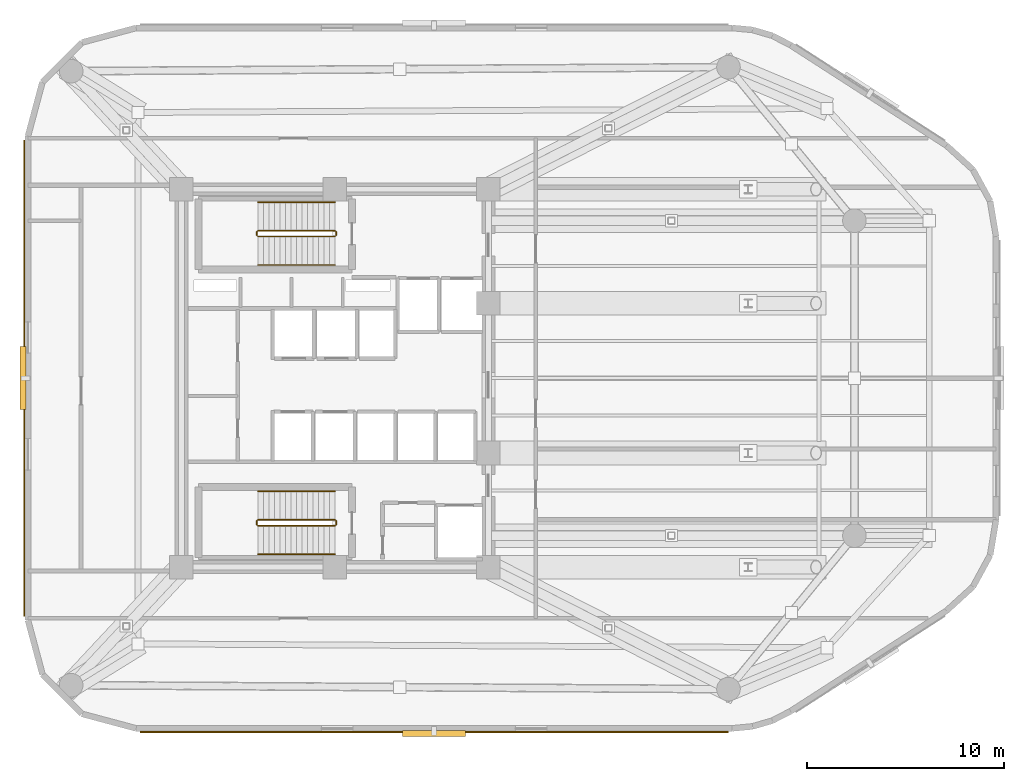
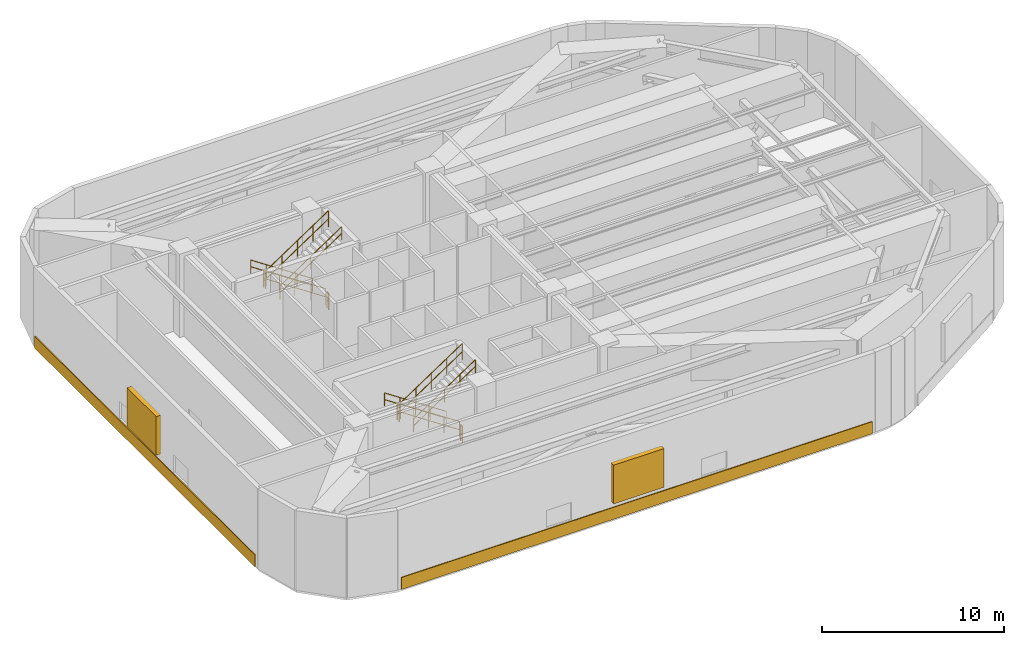
# One storey, part 8 of 9: 12 railings, 2 coverings, 2 shading devices.
"""IFC4 building model written with IfcOpenShell, lengths in metres."""

from ifc_helpers import new_model, si_unit, direction, frame, origin, origin_2d, place, context, subcontext, project, spatial, rectangle, circle, extrude, material, layer, layer_set, type_object, element, save


model = new_model("IFC4")

# Units and contexts
model_context = context("Model", 3, precision=1e-05, world=origin(), true_north=direction((0.0, 1.0)))
body_context = subcontext(model_context, "Body", "Model", "MODEL_VIEW")
ifc_project = project(units=[si_unit("LENGTHUNIT", "METRE"), si_unit("AREAUNIT", "SQUARE_METRE"), si_unit("VOLUMEUNIT", "CUBIC_METRE"), si_unit("PLANEANGLEUNIT", "RADIAN"), si_unit("MASSUNIT", "GRAM", prefix="KILO")], contexts=[model_context])

# Site, building, storey
site_placement = place(None, origin())
site = spatial("IfcSite", under=ifc_project, at=site_placement, CompositionType="ELEMENT")
building_placement = place(site_placement, origin())
building = spatial("IfcBuilding", under=site, at=building_placement, Name="An Khanh Terracotta Commons", CompositionType="ELEMENT")
storey_placement = place(building_placement, frame((0.0, 0.0, 190.60009765625)))
storey = spatial("IfcBuildingStorey", under=building, at=storey_placement, Name="L50", CompositionType="ELEMENT", Elevation=190.60009765625)

# Shading devices
ifc_material_1 = material(Name="Anodised Aluminium 6063-T6", Category="aluminium")
shading_device_type = type_object("IfcShadingDeviceType", Name="Acoustic Plant Weather Louvre", PredefinedType="USERDEFINED", material=ifc_material_1)
for number, where, z_axis, x_axis, name in (
    (1, (34.44091796875, 5.949951171875, 1.199951171875), (0.0, 0.0, 1.0), (1.0, 0.0, 0.0), "L50 Refuge Acoustic Louvre 4"),
    (2, (13.550048828125, 24.0, 1.199951171875), (0.0, 0.0, 1.0), (0.0, -1.0, 0.0), "L50 Refuge Acoustic Louvre 24"),
):
    element("IfcShadingDevice", number, at=place(storey_placement, frame(where, z_axis=z_axis, x_axis=x_axis)), inside=storey, type_object=shading_device_type, Name=name, ObjectType="LOUVRE", PredefinedType="USERDEFINED", context=body_context, shape_type="SweptSolid", body=[
        extrude(rectangle(XDim=3.199951171875, YDim=0.300048828125, at=origin_2d()), origin(), (0.0, 0.0, 1.0), 2.60009765625),
    ])

# Coverings
ifc_material_2 = material(Name="Fired Terracotta Rainscreen Cladding", Category="masonry")
ifc_layer = layer(ifc_material_2, 0.06005859375, Name="Fired Terracotta Rainscreen Cladding")
ifc_layer_set = layer_set([ifc_layer], Name="Fired Terracotta Rainscreen Cladding")
covering_type = type_object("IfcCoveringType", Name="COV-SPANDREL-TERRA", PredefinedType="CLADDING", material=ifc_layer_set)
covering_1_placement = place(storey_placement, frame((34.44091796875, 6.02001953125, 0.02001953125), z_axis=(0.0, 0.0, 1.0), x_axis=(1.0, 0.0, 0.0)))
element("IfcCovering", 3, at=covering_1_placement, inside=storey, type_object=covering_type, Name="L50 Terracotta Spandrel Cladding 4", PredefinedType="CLADDING", context=body_context, shape_type="SweptSolid", body=[
    extrude(rectangle(XDim=29.882080078125, YDim=0.06005859375, at=origin_2d()), origin(), (0.0, 0.0, 1.0), 0.800048828125),
])
covering_2_placement = place(storey_placement, frame((13.6201171875, 24.0, 0.02001953125), z_axis=(0.0, 0.0, 1.0), x_axis=(0.0, -1.0, 0.0)))
element("IfcCovering", 4, at=covering_2_placement, inside=storey, type_object=covering_type, Name="L50 Terracotta Spandrel Cladding 24", PredefinedType="CLADDING", context=body_context, shape_type="SweptSolid", body=[
    extrude(rectangle(XDim=24.199951171875, YDim=0.06005859375, at=origin_2d()), origin(), (0.0, 0.0, 1.0), 0.800048828125),
])

# Railings
ifc_material_3 = material(Name="Brushed Stainless Steel 316", Category="steel")
railing_type_1 = type_object("IfcRailingType", Name="RAIL-HANDRAIL-900", PredefinedType="HANDRAIL", material=ifc_material_3)
railing_1_placement = place(storey_placement, frame((29.409912109375, 32.949951171875, 0.1865234375)))
element("IfcRailing", 5, at=railing_1_placement, inside=storey, type_object=railing_type_1, Name="L50 ST-01 stair handrail 1", PredefinedType="HANDRAIL", context=body_context, shape_type="SweptSolid", body=[
    extrude(circle(Radius=0.02392578125, at=origin_2d()), frame((0.0, 0.0, 0.8759765625), z_axis=(-0.832050294338, 0.0, 0.554700196225), x_axis=(0.0, -1.0, 0.0)), (0.0, 0.0, 1.0), 4.711181640625),
    extrude(circle(Radius=0.02392578125, at=origin_2d()), frame((0.0, 0.0, 0.42578125), z_axis=(-0.832050294338, 0.0, 0.554700196225), x_axis=(0.0, -1.0, 0.0)), (0.0, 0.0, 1.0), 4.711181640625),
    extrude(circle(Radius=0.02099609375, at=origin_2d()), origin(), (0.0, 0.0, 1.0), 0.851806640625),
    extrude(circle(Radius=0.02099609375, at=origin_2d()), frame((-0.97998046875, 0.0, 0.6533203125)), (0.0, 0.0, 1.0), 0.851806640625),
    extrude(circle(Radius=0.02099609375, at=origin_2d()), frame((-1.9599609375, 0.0, 1.306640625)), (0.0, 0.0, 1.0), 0.851806640625),
    extrude(circle(Radius=0.02099609375, at=origin_2d()), frame((-2.93994140625, 0.0, 1.9599609375)), (0.0, 0.0, 1.0), 0.851806640625),
    extrude(circle(Radius=0.02099609375, at=origin_2d()), frame((-3.919921875, 0.0, 2.61328125)), (0.0, 0.0, 1.0), 0.851806640625),
])
railing_2_placement = place(storey_placement, frame((25.489990234375, 29.75, 2.986572265625)))
element("IfcRailing", 6, at=railing_2_placement, inside=storey, type_object=railing_type_1, Name="L50 ST-01 stair handrail 2", PredefinedType="HANDRAIL", context=body_context, shape_type="SweptSolid", body=[
    extrude(circle(Radius=0.02392578125, at=origin_2d()), frame((0.0, 0.0, 0.8759765625), z_axis=(0.832050294338, 0.0, 0.554700196225), x_axis=(0.0, 1.0, 0.0)), (0.0, 0.0, 1.0), 4.711181640625),
    extrude(circle(Radius=0.02392578125, at=origin_2d()), frame((0.0, 0.0, 0.42578125), z_axis=(0.832050294338, 0.0, 0.554700196225), x_axis=(0.0, 1.0, 0.0)), (0.0, 0.0, 1.0), 4.711181640625),
    extrude(circle(Radius=0.02099609375, at=origin_2d()), origin(), (0.0, 0.0, 1.0), 0.851806640625),
    extrude(circle(Radius=0.02099609375, at=origin_2d()), frame((0.97998046875, 0.0, 0.6533203125)), (0.0, 0.0, 1.0), 0.851806640625),
    extrude(circle(Radius=0.02099609375, at=origin_2d()), frame((1.9599609375, 0.0, 1.306640625)), (0.0, 0.0, 1.0), 0.851806640625),
    extrude(circle(Radius=0.02099609375, at=origin_2d()), frame((2.93994140625, 0.0, 1.9599609375)), (0.0, 0.0, 1.0), 0.851806640625),
    extrude(circle(Radius=0.02099609375, at=origin_2d()), frame((3.919921875, 0.0, 2.61328125)), (0.0, 0.0, 1.0), 0.851806640625),
])
railing_3_placement = place(storey_placement, frame((29.409912109375, 18.25, 0.1865234375)))
element("IfcRailing", 7, at=railing_3_placement, inside=storey, type_object=railing_type_1, Name="L50 ST-02 stair handrail 1", PredefinedType="HANDRAIL", context=body_context, shape_type="SweptSolid", body=[
    extrude(circle(Radius=0.02392578125, at=origin_2d()), frame((0.0, 0.0, 0.8759765625), z_axis=(-0.832050294338, 0.0, 0.554700196225), x_axis=(0.0, -1.0, 0.0)), (0.0, 0.0, 1.0), 4.711181640625),
    extrude(circle(Radius=0.02392578125, at=origin_2d()), frame((0.0, 0.0, 0.42578125), z_axis=(-0.832050294338, 0.0, 0.554700196225), x_axis=(0.0, -1.0, 0.0)), (0.0, 0.0, 1.0), 4.711181640625),
    extrude(circle(Radius=0.02099609375, at=origin_2d()), origin(), (0.0, 0.0, 1.0), 0.851806640625),
    extrude(circle(Radius=0.02099609375, at=origin_2d()), frame((-0.97998046875, 0.0, 0.6533203125)), (0.0, 0.0, 1.0), 0.851806640625),
    extrude(circle(Radius=0.02099609375, at=origin_2d()), frame((-1.9599609375, 0.0, 1.306640625)), (0.0, 0.0, 1.0), 0.851806640625),
    extrude(circle(Radius=0.02099609375, at=origin_2d()), frame((-2.93994140625, 0.0, 1.9599609375)), (0.0, 0.0, 1.0), 0.851806640625),
    extrude(circle(Radius=0.02099609375, at=origin_2d()), frame((-3.919921875, 0.0, 2.61328125)), (0.0, 0.0, 1.0), 0.851806640625),
])
railing_4_placement = place(storey_placement, frame((25.489990234375, 15.050048828125, 2.986572265625)))
element("IfcRailing", 8, at=railing_4_placement, inside=storey, type_object=railing_type_1, Name="L50 ST-02 stair handrail 2", PredefinedType="HANDRAIL", context=body_context, shape_type="SweptSolid", body=[
    extrude(circle(Radius=0.02392578125, at=origin_2d()), frame((0.0, 0.0, 0.8759765625), z_axis=(0.832050294338, 0.0, 0.554700196225), x_axis=(0.0, 1.0, 0.0)), (0.0, 0.0, 1.0), 4.711181640625),
    extrude(circle(Radius=0.02392578125, at=origin_2d()), frame((0.0, 0.0, 0.42578125), z_axis=(0.832050294338, 0.0, 0.554700196225), x_axis=(0.0, 1.0, 0.0)), (0.0, 0.0, 1.0), 4.711181640625),
    extrude(circle(Radius=0.02099609375, at=origin_2d()), origin(), (0.0, 0.0, 1.0), 0.851806640625),
    extrude(circle(Radius=0.02099609375, at=origin_2d()), frame((0.97998046875, 0.0, 0.6533203125)), (0.0, 0.0, 1.0), 0.851806640625),
    extrude(circle(Radius=0.02099609375, at=origin_2d()), frame((1.9599609375, 0.0, 1.306640625)), (0.0, 0.0, 1.0), 0.851806640625),
    extrude(circle(Radius=0.02099609375, at=origin_2d()), frame((2.93994140625, 0.0, 1.9599609375)), (0.0, 0.0, 1.0), 0.851806640625),
    extrude(circle(Radius=0.02099609375, at=origin_2d()), frame((3.919921875, 0.0, 2.61328125)), (0.0, 0.0, 1.0), 0.851806640625),
])
ifc_material_4 = material(Name="Powder-Coated Steel S355J2", Category="steel")
railing_type_2 = type_object("IfcRailingType", Name="RAIL-STAIR-GUARD-1100", PredefinedType="BALUSTRADE", material=ifc_material_4)
railing_5_placement = place(storey_placement, frame((29.409912109375, 31.5, 0.1865234375)))
element("IfcRailing", 9, at=railing_5_placement, inside=storey, type_object=railing_type_2, Name="L50 ST-01 stair guard 1", PredefinedType="BALUSTRADE", context=body_context, shape_type="SweptSolid", body=[
    extrude(circle(Radius=0.02392578125, at=origin_2d()), frame((0.0, 0.0, 1.076171875), z_axis=(-0.832050294338, 0.0, 0.554700196225), x_axis=(0.0, -1.0, 0.0)), (0.0, 0.0, 1.0), 4.711181640625),
    extrude(circle(Radius=0.02392578125, at=origin_2d()), frame((0.0, 0.0, 0.52587890625), z_axis=(-0.832050294338, 0.0, 0.554700196225), x_axis=(0.0, -1.0, 0.0)), (0.0, 0.0, 1.0), 4.711181640625),
    extrude(circle(Radius=0.02099609375, at=origin_2d()), origin(), (0.0, 0.0, 1.0), 1.052001953125),
    extrude(circle(Radius=0.02099609375, at=origin_2d()), frame((-0.97998046875, 0.0, 0.6533203125)), (0.0, 0.0, 1.0), 1.052001953125),
    extrude(circle(Radius=0.02099609375, at=origin_2d()), frame((-1.9599609375, 0.0, 1.306640625)), (0.0, 0.0, 1.0), 1.052001953125),
    extrude(circle(Radius=0.02099609375, at=origin_2d()), frame((-2.93994140625, 0.0, 1.9599609375)), (0.0, 0.0, 1.0), 1.052001953125),
    extrude(circle(Radius=0.02099609375, at=origin_2d()), frame((-3.919921875, 0.0, 2.61328125)), (0.0, 0.0, 1.0), 1.052001953125),
])
railing_6_placement = place(storey_placement, frame((25.43994140625, 31.449951171875, 2.7998046875)))
element("IfcRailing", 10, at=railing_6_placement, inside=storey, type_object=railing_type_2, Name="L50 ST-01 stair guard 2", PredefinedType="BALUSTRADE", context=body_context, shape_type="SweptSolid", body=[
    extrude(circle(Radius=0.02392578125, at=origin_2d()), frame((0.0, 0.0, 1.076171875), z_axis=(0.0, -1.0, 0.0), x_axis=(1.0, 0.0, 0.0)), (0.0, 0.0, 1.0), 0.199951171875),
    extrude(circle(Radius=0.02392578125, at=origin_2d()), frame((0.0, 0.0, 0.52587890625), z_axis=(0.0, -1.0, 0.0), x_axis=(1.0, 0.0, 0.0)), (0.0, 0.0, 1.0), 0.199951171875),
    extrude(circle(Radius=0.02099609375, at=origin_2d()), origin(), (0.0, 0.0, 1.0), 1.052001953125),
    extrude(circle(Radius=0.02099609375, at=origin_2d()), frame((0.0, -0.199951171875, 0.0)), (0.0, 0.0, 1.0), 1.052001953125),
])
railing_7_placement = place(storey_placement, frame((25.489990234375, 31.199951171875, 2.986572265625)))
element("IfcRailing", 11, at=railing_7_placement, inside=storey, type_object=railing_type_2, Name="L50 ST-01 stair guard 3", PredefinedType="BALUSTRADE", context=body_context, shape_type="SweptSolid", body=[
    extrude(circle(Radius=0.02392578125, at=origin_2d()), frame((0.0, 0.0, 1.076171875), z_axis=(0.832050294338, 0.0, 0.554700196225), x_axis=(0.0, 1.0, 0.0)), (0.0, 0.0, 1.0), 4.711181640625),
    extrude(circle(Radius=0.02392578125, at=origin_2d()), frame((0.0, 0.0, 0.52587890625), z_axis=(0.832050294338, 0.0, 0.554700196225), x_axis=(0.0, 1.0, 0.0)), (0.0, 0.0, 1.0), 4.711181640625),
    extrude(circle(Radius=0.02099609375, at=origin_2d()), origin(), (0.0, 0.0, 1.0), 1.052001953125),
    extrude(circle(Radius=0.02099609375, at=origin_2d()), frame((0.97998046875, 0.0, 0.6533203125)), (0.0, 0.0, 1.0), 1.052001953125),
    extrude(circle(Radius=0.02099609375, at=origin_2d()), frame((1.9599609375, 0.0, 1.306640625)), (0.0, 0.0, 1.0), 1.052001953125),
    extrude(circle(Radius=0.02099609375, at=origin_2d()), frame((2.93994140625, 0.0, 1.9599609375)), (0.0, 0.0, 1.0), 1.052001953125),
    extrude(circle(Radius=0.02099609375, at=origin_2d()), frame((3.919921875, 0.0, 2.61328125)), (0.0, 0.0, 1.0), 1.052001953125),
])
railing_8_placement = place(storey_placement, frame((29.4599609375, 31.449951171875, 0.0)))
element("IfcRailing", 12, at=railing_8_placement, inside=storey, type_object=railing_type_2, Name="L50 ST-01 stair guard 4", PredefinedType="BALUSTRADE", context=body_context, shape_type="SweptSolid", body=[
    extrude(circle(Radius=0.02392578125, at=origin_2d()), frame((0.0, 0.0, 1.076171875), z_axis=(0.0, -1.0, 0.0), x_axis=(1.0, 0.0, 0.0)), (0.0, 0.0, 1.0), 0.199951171875),
    extrude(circle(Radius=0.02392578125, at=origin_2d()), frame((0.0, 0.0, 0.52587890625), z_axis=(0.0, -1.0, 0.0), x_axis=(1.0, 0.0, 0.0)), (0.0, 0.0, 1.0), 0.199951171875),
    extrude(circle(Radius=0.02099609375, at=origin_2d()), origin(), (0.0, 0.0, 1.0), 1.052001953125),
    extrude(circle(Radius=0.02099609375, at=origin_2d()), frame((0.0, -0.199951171875, 0.0)), (0.0, 0.0, 1.0), 1.052001953125),
])
railing_9_placement = place(storey_placement, frame((29.409912109375, 16.800048828125, 0.1865234375)))
element("IfcRailing", 13, at=railing_9_placement, inside=storey, type_object=railing_type_2, Name="L50 ST-02 stair guard 1", PredefinedType="BALUSTRADE", context=body_context, shape_type="SweptSolid", body=[
    extrude(circle(Radius=0.02392578125, at=origin_2d()), frame((0.0, 0.0, 1.076171875), z_axis=(-0.832050294338, 0.0, 0.554700196225), x_axis=(0.0, -1.0, 0.0)), (0.0, 0.0, 1.0), 4.711181640625),
    extrude(circle(Radius=0.02392578125, at=origin_2d()), frame((0.0, 0.0, 0.52587890625), z_axis=(-0.832050294338, 0.0, 0.554700196225), x_axis=(0.0, -1.0, 0.0)), (0.0, 0.0, 1.0), 4.711181640625),
    extrude(circle(Radius=0.02099609375, at=origin_2d()), origin(), (0.0, 0.0, 1.0), 1.052001953125),
    extrude(circle(Radius=0.02099609375, at=origin_2d()), frame((-0.97998046875, 0.0, 0.6533203125)), (0.0, 0.0, 1.0), 1.052001953125),
    extrude(circle(Radius=0.02099609375, at=origin_2d()), frame((-1.9599609375, 0.0, 1.306640625)), (0.0, 0.0, 1.0), 1.052001953125),
    extrude(circle(Radius=0.02099609375, at=origin_2d()), frame((-2.93994140625, 0.0, 1.9599609375)), (0.0, 0.0, 1.0), 1.052001953125),
    extrude(circle(Radius=0.02099609375, at=origin_2d()), frame((-3.919921875, 0.0, 2.61328125)), (0.0, 0.0, 1.0), 1.052001953125),
])
railing_10_placement = place(storey_placement, frame((25.43994140625, 16.75, 2.7998046875)))
element("IfcRailing", 14, at=railing_10_placement, inside=storey, type_object=railing_type_2, Name="L50 ST-02 stair guard 2", PredefinedType="BALUSTRADE", context=body_context, shape_type="SweptSolid", body=[
    extrude(circle(Radius=0.02392578125, at=origin_2d()), frame((0.0, 0.0, 1.076171875), z_axis=(0.0, -1.0, 0.0), x_axis=(1.0, 0.0, 0.0)), (0.0, 0.0, 1.0), 0.199951171875),
    extrude(circle(Radius=0.02392578125, at=origin_2d()), frame((0.0, 0.0, 0.52587890625), z_axis=(0.0, -1.0, 0.0), x_axis=(1.0, 0.0, 0.0)), (0.0, 0.0, 1.0), 0.199951171875),
    extrude(circle(Radius=0.02099609375, at=origin_2d()), origin(), (0.0, 0.0, 1.0), 1.052001953125),
    extrude(circle(Radius=0.02099609375, at=origin_2d()), frame((0.0, -0.199951171875, 0.0)), (0.0, 0.0, 1.0), 1.052001953125),
])
railing_11_placement = place(storey_placement, frame((25.489990234375, 16.5, 2.986572265625)))
element("IfcRailing", 15, at=railing_11_placement, inside=storey, type_object=railing_type_2, Name="L50 ST-02 stair guard 3", PredefinedType="BALUSTRADE", context=body_context, shape_type="SweptSolid", body=[
    extrude(circle(Radius=0.02392578125, at=origin_2d()), frame((0.0, 0.0, 1.076171875), z_axis=(0.832050294338, 0.0, 0.554700196225), x_axis=(0.0, 1.0, 0.0)), (0.0, 0.0, 1.0), 4.711181640625),
    extrude(circle(Radius=0.02392578125, at=origin_2d()), frame((0.0, 0.0, 0.52587890625), z_axis=(0.832050294338, 0.0, 0.554700196225), x_axis=(0.0, 1.0, 0.0)), (0.0, 0.0, 1.0), 4.711181640625),
    extrude(circle(Radius=0.02099609375, at=origin_2d()), origin(), (0.0, 0.0, 1.0), 1.052001953125),
    extrude(circle(Radius=0.02099609375, at=origin_2d()), frame((0.97998046875, 0.0, 0.6533203125)), (0.0, 0.0, 1.0), 1.052001953125),
    extrude(circle(Radius=0.02099609375, at=origin_2d()), frame((1.9599609375, 0.0, 1.306640625)), (0.0, 0.0, 1.0), 1.052001953125),
    extrude(circle(Radius=0.02099609375, at=origin_2d()), frame((2.93994140625, 0.0, 1.9599609375)), (0.0, 0.0, 1.0), 1.052001953125),
    extrude(circle(Radius=0.02099609375, at=origin_2d()), frame((3.919921875, 0.0, 2.61328125)), (0.0, 0.0, 1.0), 1.052001953125),
])
railing_12_placement = place(storey_placement, frame((29.4599609375, 16.75, 0.0)))
element("IfcRailing", 16, at=railing_12_placement, inside=storey, type_object=railing_type_2, Name="L50 ST-02 stair guard 4", PredefinedType="BALUSTRADE", context=body_context, shape_type="SweptSolid", body=[
    extrude(circle(Radius=0.02392578125, at=origin_2d()), frame((0.0, 0.0, 1.076171875), z_axis=(0.0, -1.0, 0.0), x_axis=(1.0, 0.0, 0.0)), (0.0, 0.0, 1.0), 0.199951171875),
    extrude(circle(Radius=0.02392578125, at=origin_2d()), frame((0.0, 0.0, 0.52587890625), z_axis=(0.0, -1.0, 0.0), x_axis=(1.0, 0.0, 0.0)), (0.0, 0.0, 1.0), 0.199951171875),
    extrude(circle(Radius=0.02099609375, at=origin_2d()), origin(), (0.0, 0.0, 1.0), 1.052001953125),
    extrude(circle(Radius=0.02099609375, at=origin_2d()), frame((0.0, -0.199951171875, 0.0)), (0.0, 0.0, 1.0), 1.052001953125),
])

save(model, "model.ifc")
